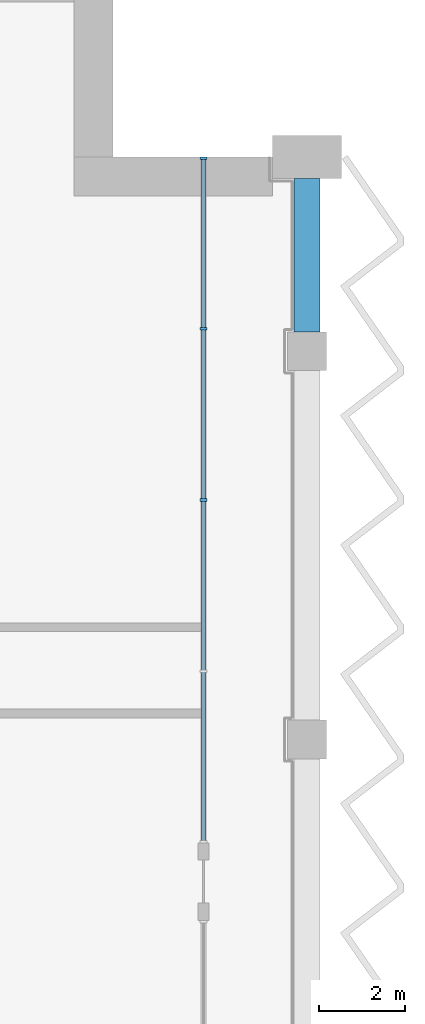
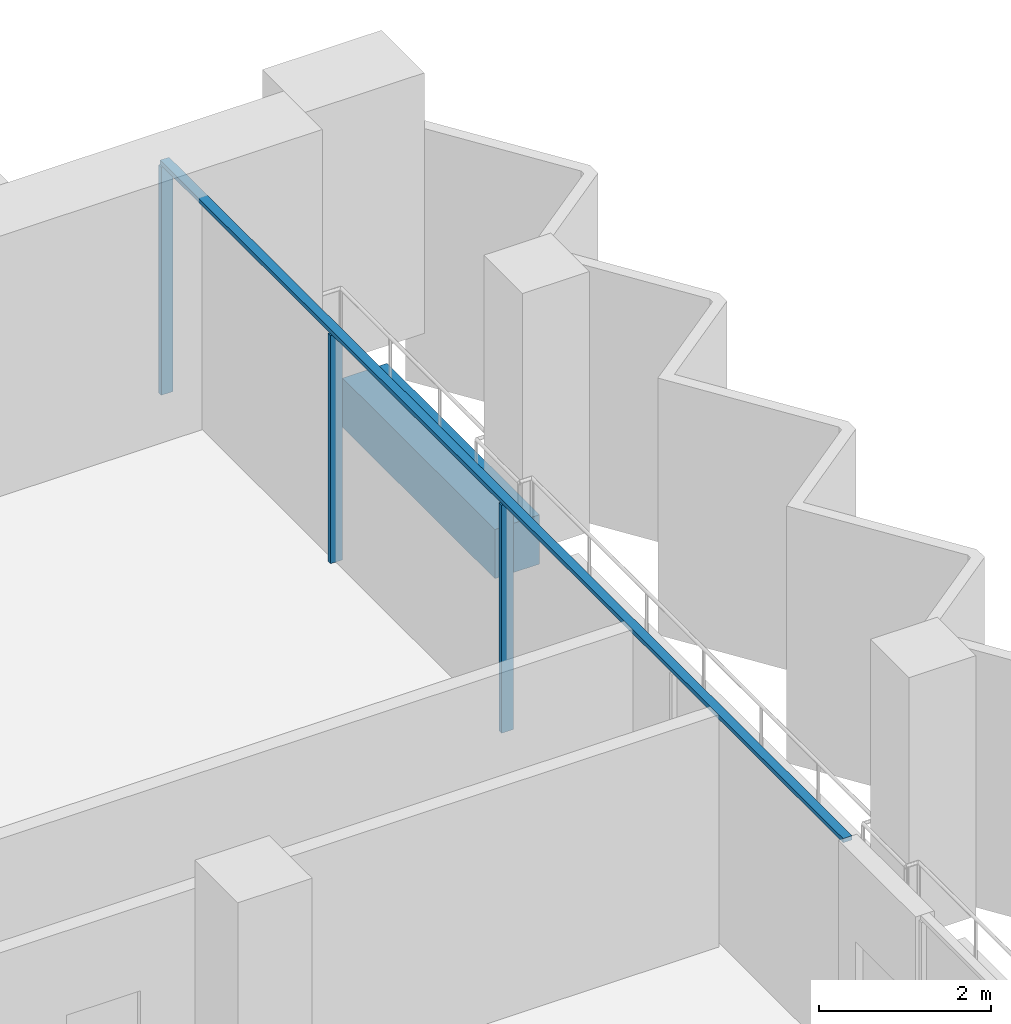
# One storey, part 5 of 16: 4 members, 1 beam, 1 element without a shape of its own.
"""IFC4 building model written with IfcOpenShell, lengths in metres."""

import ifcopenshell
import ifcopenshell.guid

model = None  # the IFC model being written
_history = None  # IfcOwnerHistory: only IFC2X3 demands one
_inside = {}  # id of a spatial element -> (the spatial element, [elements in it])
_under = {}  # id of a project, library or spatial element -> (it, [spatial elements below it])
_declared = {}  # id of a project -> (the project, [libraries it declares])
_typed = {}  # id of a type object -> (the type object, [elements of that type])
_made_of = {}  # id of a material, layer set ... -> (it, [elements and type objects made of it])


def new_model(schema):
    """Start an empty IFC model of exactly this schema.

    Asked for "IFC4X3", IfcOpenShell would pick the latest addendum, in which some entities
    have other attributes; the version numbers below select the first issue.
    IFC2X3 requires an IfcOwnerHistory on every rooted entity: one is made here for all.
    """
    global model, _history
    if schema == "IFC4X3":
        model = ifcopenshell.file(schema_version=(4, 3, 0, 0))
    else:
        model = ifcopenshell.file(schema=schema)
    _inside.clear()
    _under.clear()
    _declared.clear()
    _typed.clear()
    _made_of.clear()
    _history = None
    if model.schema == "IFC2X3":
        org = make("IfcOrganization", Name="unknown")
        user = make(
            "IfcPersonAndOrganization",
            ThePerson=make("IfcPerson", FamilyName="unknown"),
            TheOrganization=org,
        )
        app = make(
            "IfcApplication",
            ApplicationDeveloper=org,
            Version="unknown",
            ApplicationFullName="unknown",
            ApplicationIdentifier="unknown",
        )
        _history = make(
            "IfcOwnerHistory",
            OwningUser=user,
            OwningApplication=app,
            ChangeAction="ADDED",
            CreationDate=0,
        )
    return model


def make(cls, **values):
    """One entity of the class cls with the attributes given. An attribute that is None is left unset."""
    return model.create_entity(
        cls, **{name: value for name, value in values.items() if value is not None}
    )


def rooted(cls, **values):
    """An entity with a GlobalId (a new one), such as an element, a storey or a relation."""
    return make(cls, GlobalId=ifcopenshell.guid.new(), OwnerHistory=_history, **values)


def si_unit(unit_type, name, prefix=None):
    """IfcSIUnit, for example si_unit("LENGTHUNIT", "METRE", prefix="MILLI")."""
    return make("IfcSIUnit", UnitType=unit_type, Prefix=prefix, Name=name)


def assignment(units):
    """IfcUnitAssignment: the units of a project."""
    return None if units is None else make("IfcUnitAssignment", Units=units)


def point(xyz):
    """IfcCartesianPoint."""
    return None if xyz is None else make("IfcCartesianPoint", Coordinates=xyz)


def direction(xyz):
    """IfcDirection."""
    return None if xyz is None else make("IfcDirection", DirectionRatios=xyz)


def frame(location, z_axis=None, x_axis=None):
    """IfcAxis2Placement3D, a coordinate frame: its origin and axes. An axis left out is left unset."""
    return make(
        "IfcAxis2Placement3D",
        Location=point(location),
        Axis=direction(z_axis),
        RefDirection=direction(x_axis),
    )


def frame_2d(location, x_axis=None):
    """IfcAxis2Placement2D, a coordinate frame in the plane: its origin and x axis."""
    return make(
        "IfcAxis2Placement2D", Location=point(location), RefDirection=direction(x_axis)
    )


def origin():
    """The frame at (0, 0, 0) with its axes left unset."""
    return frame((0.0, 0.0, 0.0))


def origin_2d():
    """The frame at (0, 0) in the plane with its x axis left unset."""
    return frame_2d((0.0, 0.0))


def place(relative_to, where):
    """IfcLocalPlacement: puts the frame where relative to a parent placement (None: the world)."""
    return make(
        "IfcLocalPlacement", PlacementRelTo=relative_to, RelativePlacement=where
    )


def context(
    kind, dimensions, precision=None, world=None, true_north=None, identifier=None
):
    """IfcGeometricRepresentationContext, for example the 3D "Model" context."""
    return make(
        "IfcGeometricRepresentationContext",
        ContextIdentifier=identifier,
        ContextType=kind,
        CoordinateSpaceDimension=dimensions,
        Precision=precision,
        WorldCoordinateSystem=world,
        TrueNorth=true_north,
    )


def subcontext(parent, identifier, kind, view, scale=None):
    """IfcGeometricRepresentationSubContext, for example "Body" below "Model"."""
    return make(
        "IfcGeometricRepresentationSubContext",
        ContextIdentifier=identifier,
        ContextType=kind,
        ParentContext=parent,
        TargetScale=scale,
        TargetView=view,
    )


def project(units=None, contexts=None):
    """IfcProject with its units and contexts."""
    return rooted(
        "IfcProject",
        Name="project",
        RepresentationContexts=contexts,
        UnitsInContext=assignment(units),
    )


def spatial(cls, under=None, at=None, **own):
    """A site, building, storey or space (cls), placed at a placement, below another one or the project."""
    s = rooted(cls, ObjectPlacement=at, **own)
    if under is not None:
        _under.setdefault(under.id(), (under, []))[1].append(s)
    return s


def profile(cls, at=None, kind="AREA", **sizes):
    """A parametric profile (cls). Its sizes go by their IFC names, for example OverallWidth=200.0."""
    return make(cls, ProfileType=kind, Position=at, **sizes)


def rectangle(**sizes):
    """IfcRectangleProfileDef."""
    return profile("IfcRectangleProfileDef", **sizes)


def extrude(swept, where, along, depth):
    """IfcExtrudedAreaSolid: the profile swept, set in the frame where, extruded along a direction by depth."""
    return make(
        "IfcExtrudedAreaSolid",
        SweptArea=swept,
        Position=where,
        ExtrudedDirection=direction(along),
        Depth=depth,
    )


def shape(context_of_items, identifier, shape_type, items):
    """IfcShapeRepresentation: the items that make up one representation, for example the "Body"."""
    return make(
        "IfcShapeRepresentation",
        ContextOfItems=context_of_items,
        RepresentationIdentifier=identifier,
        RepresentationType=shape_type,
        Items=items,
    )


def material(Name=None, Category=None):
    """IfcMaterial."""
    return make("IfcMaterial", Name=Name, Category=Category)


def material_profile(
    of_material, cross_section, Name=None, Category=None, Priority=None
):
    """IfcMaterialProfile: a cross section and its material."""
    return make(
        "IfcMaterialProfile",
        Name=Name,
        Material=of_material,
        Profile=cross_section,
        Priority=Priority,
        Category=Category,
    )


def profile_set(profiles, Name=None, composite=None):
    """IfcMaterialProfileSet."""
    return make(
        "IfcMaterialProfileSet",
        Name=Name,
        MaterialProfiles=profiles,
        CompositeProfile=composite,
    )


def made_of(thing, what):
    """Note that an element or type object is made of a material, layer set ...; save() writes the relation."""
    if what is not None:
        _made_of.setdefault(what.id(), (what, []))[1].append(thing)
    return thing


def type_object(cls, material=None, **own):
    """A type object (cls), such as IfcWallType, which elements share."""
    return made_of(rooted(cls, **own), material)


def element(
    cls,
    number,
    at=None,
    inside=None,
    cuts=None,
    type_object=None,
    material=None,
    context=None,
    identifier="Body",
    shape_type=None,
    held_by="IfcProductDefinitionShape",
    body=None,
    shapes=None,
    **own,
):
    """One element of the class cls, such as IfcWall. Its Tag is "e" and its number.

    at: its placement. inside: the storey or other place that contains it. cuts: it is an
    opening in that element (IfcRelVoidsElement). A single representation is given by context,
    identifier, shape_type and body (its items); several are given by shapes. held_by: the class
    of the entity that holds the representations. save() writes the other relations.
    """
    e = rooted(cls, Tag="e%d" % number, ObjectPlacement=at, **own)
    if body is not None:
        shapes = [shape(context, identifier, shape_type, body)]
    if shapes is not None:
        e.Representation = make(held_by, Representations=shapes)
    if inside is not None:
        _inside.setdefault(inside.id(), (inside, []))[1].append(e)
    if cuts is not None:
        rooted(
            "IfcRelVoidsElement", RelatingBuildingElement=cuts, RelatedOpeningElement=e
        )
    if type_object is not None:
        _typed.setdefault(type_object.id(), (type_object, []))[1].append(e)
    return made_of(e, material)


def aggregate(whole, parts):
    """IfcRelAggregates: a whole, such as a stair, and the parts it consists of."""
    return rooted("IfcRelAggregates", RelatingObject=whole, RelatedObjects=parts)


def save(model, path):
    """Write the relations noted so far, then the file.

    IfcRelAggregates (storeys below a building ...), IfcRelContainedInSpatialStructure (elements
    in a storey), IfcRelDefinesByType, IfcRelAssociatesMaterial and IfcRelDeclares: one each for
    every whole, place, type object, material and project.
    """
    for whole, parts in _under.values():
        aggregate(whole, parts)
    for where, things in _inside.values():
        rooted(
            "IfcRelContainedInSpatialStructure",
            RelatedElements=things,
            RelatingStructure=where,
        )
    for kind, things in _typed.values():
        rooted("IfcRelDefinesByType", RelatedObjects=things, RelatingType=kind)
    for what, things in _made_of.values():
        rooted("IfcRelAssociatesMaterial", RelatedObjects=things, RelatingMaterial=what)
    for by, libraries in _declared.values():
        rooted("IfcRelDeclares", RelatingContext=by, RelatedDefinitions=libraries)
    model.write(path)


model = new_model("IFC4")

# Units and contexts
model_context = context("Model", 3, precision=1e-05, world=origin(), true_north=direction((0.0, 1.0)))
body_context = subcontext(model_context, "Body", "Model", "MODEL_VIEW")
ifc_project = project(units=[si_unit("LENGTHUNIT", "METRE"), si_unit("AREAUNIT", "SQUARE_METRE"), si_unit("VOLUMEUNIT", "CUBIC_METRE"), si_unit("PLANEANGLEUNIT", "RADIAN"), si_unit("MASSUNIT", "GRAM", prefix="KILO")], contexts=[model_context])

# Site, building, storey
site_placement = place(None, origin())
site = spatial("IfcSite", under=ifc_project, at=site_placement, CompositionType="ELEMENT")
building_placement = place(site_placement, origin())
building = spatial("IfcBuilding", under=site, at=building_placement, Name="Hunhe Ridgeline Campus", CompositionType="ELEMENT")
storey_placement = place(building_placement, frame((0.0, 0.0, 261.39990234375)))
storey = spatial("IfcBuildingStorey", under=building, at=storey_placement, Name="L67", CompositionType="ELEMENT", Elevation=261.39990234375)

# Curtain wall, members
ifc_material_1 = material(Name="Aluminium 6063", Category="aluminium")
curtain_wall_type = type_object("IfcCurtainWallType", Name="Curtain wall CW-1", PredefinedType="NOTDEFINED", material=ifc_material_1)
curtain_wall_placement = place(storey_placement, origin())
curtain_wall = element("IfcCurtainWall", 1, at=curtain_wall_placement, inside=storey, type_object=curtain_wall_type, Name="Curtain wall 14", PredefinedType="NOTDEFINED")
ifc_material_profile_1 = material_profile(ifc_material_1, rectangle(XDim=0.159912109375, YDim=0.06005859375, at=origin_2d()))
ifc_profile_set_1 = profile_set([ifc_material_profile_1], Name="Aluminium 6063")
member_type_1 = type_object("IfcMemberType", Name="CW-1 aluminium mullion", PredefinedType="MULLION", material=ifc_profile_set_1)
member_1_placement = place(storey_placement, frame((51.59912109375, 86.55029296875, 0.0), z_axis=(0.0, 0.0, 1.0), x_axis=(-1.0, 0.0, 0.0)))
member_1 = element("IfcMember", 2, at=member_1_placement, type_object=member_type_1, Name="CW-1 mullion 3", PredefinedType="MULLION", context=body_context, shape_type="SweptSolid", body=[
    extrude(rectangle(XDim=0.159912109375, YDim=0.06005859375, at=origin_2d()), origin(), (0.0, 0.0, 1.0), 3.239990234375),
])
member_2_placement = place(storey_placement, frame((51.59912109375, 90.525146484375, 0.0), z_axis=(0.0, 0.0, 1.0), x_axis=(-1.0, 0.0, 0.0)))
member_2 = element("IfcMember", 3, at=member_2_placement, type_object=member_type_1, Name="CW-1 mullion 4", PredefinedType="MULLION", context=body_context, shape_type="SweptSolid", body=[
    extrude(rectangle(XDim=0.159912109375, YDim=0.06005859375, at=origin_2d()), origin(), (0.0, 0.0, 1.0), 3.239990234375),
])
member_3_placement = place(storey_placement, frame((51.59912109375, 94.469970703125, 0.0), z_axis=(0.0, 0.0, 1.0), x_axis=(-1.0, 0.0, 0.0)))
member_3 = element("IfcMember", 4, at=member_3_placement, type_object=member_type_1, Name="CW-1 mullion 5", PredefinedType="MULLION", context=body_context, shape_type="SweptSolid", body=[
    extrude(rectangle(XDim=0.159912109375, YDim=0.06005859375, at=origin_2d()), origin(), (0.0, 0.0, 1.0), 3.239990234375),
])
ifc_material_profile_2 = material_profile(ifc_material_1, rectangle(XDim=0.1201171875, YDim=0.06005859375, at=origin_2d()))
ifc_profile_set_2 = profile_set([ifc_material_profile_2], Name="Aluminium 6063")
member_type_2 = type_object("IfcMemberType", Name="CW-1 aluminium transom", PredefinedType="USERDEFINED", material=ifc_profile_set_2)
member_4_placement = place(storey_placement, frame((51.59912109375, 78.6005859375, 3.27001953125), z_axis=(0.0, 1.0, 0.0), x_axis=(-1.0, 0.0, 0.0)))
member_4 = element("IfcMember", 5, at=member_4_placement, type_object=member_type_2, Name="CW-1 transom 1", ObjectType="TRANSOM", PredefinedType="USERDEFINED", context=body_context, shape_type="SweptSolid", body=[
    extrude(rectangle(XDim=0.1201171875, YDim=0.06005859375, at=origin_2d()), origin(), (0.0, 0.0, 1.0), 15.8994140625),
])
aggregate(curtain_wall, [member_4, member_1, member_2, member_3])

# Beam
ifc_material_2 = material(Name="Concrete C50", Category="concrete")
ifc_material_profile_3 = material_profile(ifc_material_2, rectangle(XDim=0.60009765625, YDim=0.699951171875, at=origin_2d()))
ifc_profile_set_3 = profile_set([ifc_material_profile_3], Name="Concrete C50")
beam_type = type_object("IfcBeamType", Name="RC spandrel beam 600x700 Concrete C50", PredefinedType="SPANDREL", material=ifc_profile_set_3)
beam_placement = place(storey_placement, frame((54.0, 90.449951171875, -0.599853515625), z_axis=(0.0, 1.0, 0.0), x_axis=(-1.0, 0.0, 0.0)))
element("IfcBeam", 6, at=beam_placement, inside=storey, type_object=beam_type, Name="Spandrel beam B4-17 L67", PredefinedType="SPANDREL", context=body_context, shape_type="SweptSolid", body=[
    extrude(rectangle(XDim=0.60009765625, YDim=0.699951171875, at=origin_2d()), origin(), (0.0, 0.0, 1.0), 3.550048828125),
])

save(model, "model.ifc")
